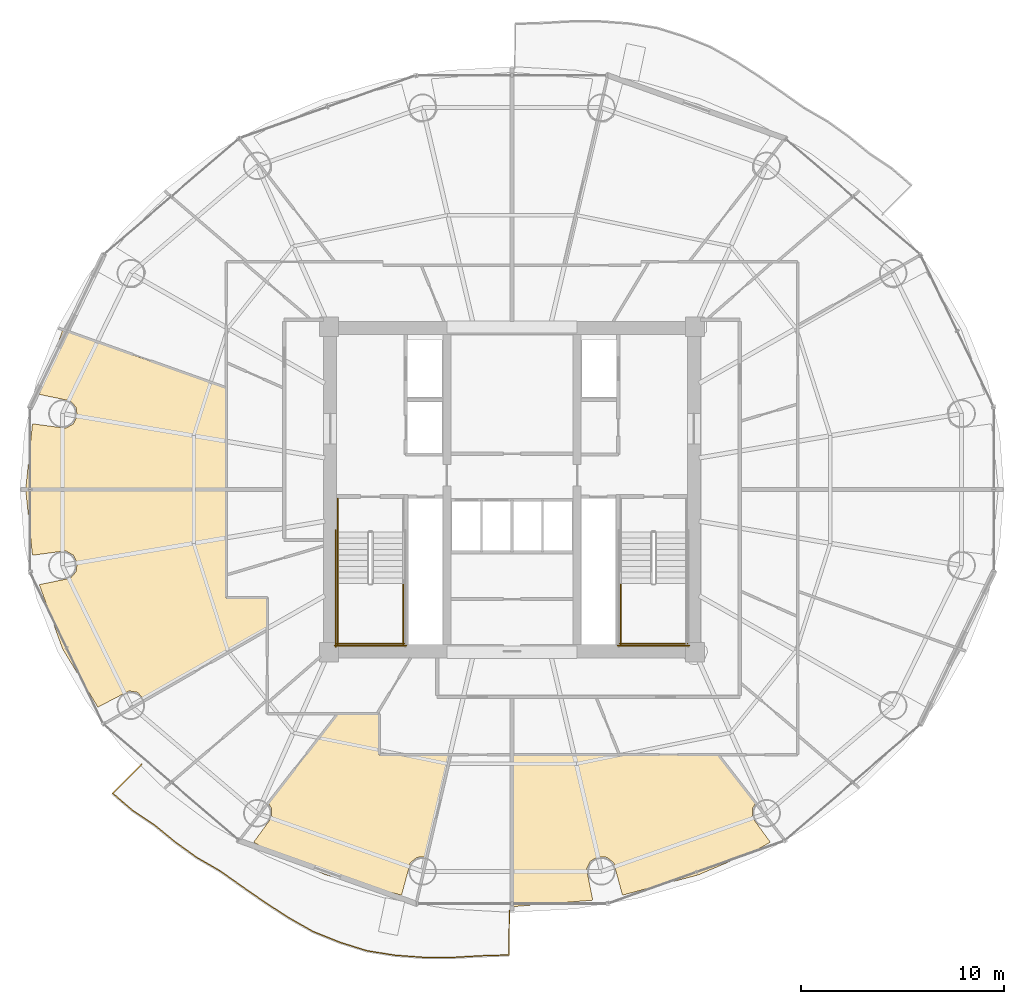
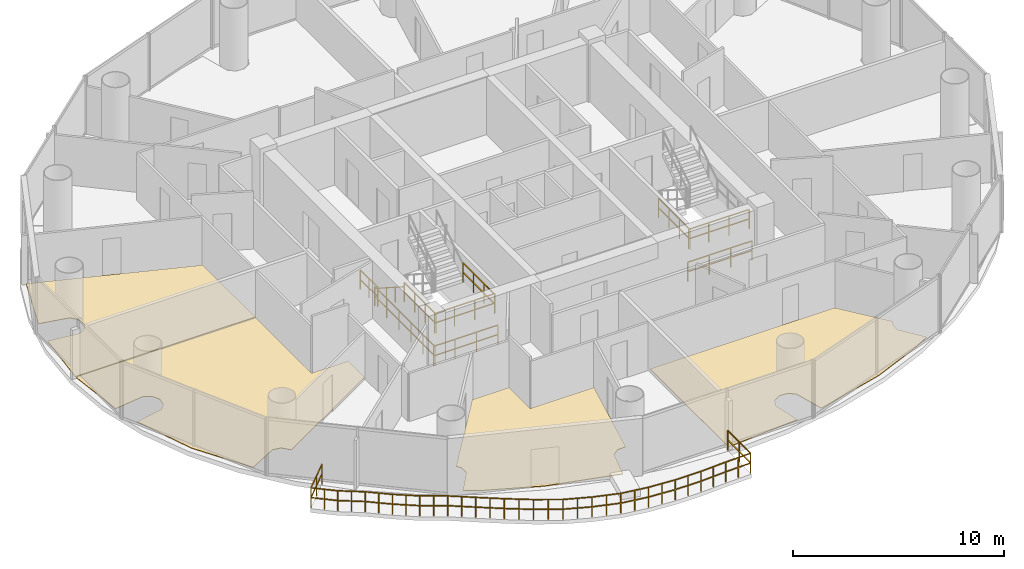
# One storey, part 25 of 27: 11 railings, 4 coverings.
"""IFC4 building model written with IfcOpenShell, lengths in metres."""

from ifc_helpers import new_model, si_unit, direction, frame, origin, origin_2d, place, context, subcontext, project, spatial, polyline, rectangle, outline, extrude, material, layer, layer_set, type_object, element, save


model = new_model("IFC4")

# Units and contexts
model_context = context("Model", 3, precision=1e-05, world=origin(), true_north=direction((-0.2419218956, 0.970295726276)))
body_context = subcontext(model_context, "Body", "Model", "MODEL_VIEW")
ifc_project = project(units=[si_unit("LENGTHUNIT", "METRE"), si_unit("AREAUNIT", "SQUARE_METRE"), si_unit("VOLUMEUNIT", "CUBIC_METRE"), si_unit("PLANEANGLEUNIT", "RADIAN"), si_unit("MASSUNIT", "GRAM", prefix="KILO")], contexts=[model_context])

# Site, building, storey
site_placement = place(None, origin())
site = spatial("IfcSite", under=ifc_project, at=site_placement, CompositionType="ELEMENT")
building_placement = place(site_placement, origin())
building = spatial("IfcBuilding", under=site, at=building_placement, Name="Cobrevalo Terracotta Tower", CompositionType="ELEMENT")
storey_placement = place(building_placement, frame((0.0, 0.0, 164.199951171875)))
storey = spatial("IfcBuildingStorey", under=building, at=storey_placement, Name="L43", CompositionType="ELEMENT", Elevation=164.199951171875)

# Railing
ifc_material_1 = material(Name="Laminated structural glass and stainless steel", Category="steel")
railing_type_1 = type_object("IfcRailingType", Name="Balcony lobe structural glass & terracotta-cap balustrade 1180 mm", PredefinedType="BALUSTRADE", material=ifc_material_1)
railing_1_placement = place(storey_placement, frame((19.788818359375, 13.294189453125, 0.0)))
element("IfcRailing", 1, at=railing_1_placement, inside=storey, type_object=railing_type_1, Name="L43 spiralling balcony lobe balustrade 2", PredefinedType="BALUSTRADE", context=body_context, shape_type="SweptSolid", body=[
    extrude(rectangle(XDim=0.048095703125, YDim=0.048095703125, at=origin_2d()), frame((0.0, 0.0, 1.15576171875), z_axis=(-0.70596157363, -0.708250136998, 0.0), x_axis=(0.708250136998, -0.70596157363, 0.0)), (0.0, 0.0, 1.0), 2.02685546875),
    extrude(rectangle(XDim=0.048095703125, YDim=0.048095703125, at=origin_2d()), frame((0.0, 0.0, 0.58984375), z_axis=(-0.70596157363, -0.708250136998, 0.0), x_axis=(0.708250136998, -0.70596157363, 0.0)), (0.0, 0.0, 1.0), 2.02685546875),
    extrude(rectangle(XDim=0.048095703125, YDim=0.048095703125, at=origin_2d()), frame((-1.430908203125, -1.435546875, 1.15576171875), z_axis=(0.757895830828, -0.652375589376, 0.0), x_axis=(0.652375589376, 0.757895830828, 0.0)), (0.0, 0.0, 1.0), 1.29345703125),
    extrude(rectangle(XDim=0.048095703125, YDim=0.048095703125, at=origin_2d()), frame((-1.430908203125, -1.435546875, 0.58984375), z_axis=(0.757895830828, -0.652375589376, 0.0), x_axis=(0.652375589376, 0.757895830828, 0.0)), (0.0, 0.0, 1.0), 1.29345703125),
    extrude(rectangle(XDim=0.048095703125, YDim=0.048095703125, at=origin_2d()), frame((-0.45068359375, -2.279296875, 1.15576171875), z_axis=(0.83202152843, -0.554743342663, 0.0), x_axis=(0.554743342663, 0.83202152843, 0.0)), (0.0, 0.0, 1.0), 1.3056640625),
    extrude(rectangle(XDim=0.048095703125, YDim=0.048095703125, at=origin_2d()), frame((-0.45068359375, -2.279296875, 0.58984375), z_axis=(0.83202152843, -0.554743342663, 0.0), x_axis=(0.554743342663, 0.83202152843, 0.0)), (0.0, 0.0, 1.0), 1.3056640625),
    extrude(rectangle(XDim=0.048095703125, YDim=0.048095703125, at=origin_2d()), frame((0.6357421875, -3.003662109375, 1.15576171875), z_axis=(0.773682191718, -0.633573883788, 0.0), x_axis=(0.633573883788, 0.773682191718, 0.0)), (0.0, 0.0, 1.0), 1.30517578125),
    extrude(rectangle(XDim=0.048095703125, YDim=0.048095703125, at=origin_2d()), frame((0.6357421875, -3.003662109375, 0.58984375), z_axis=(0.773682191718, -0.633573883788, 0.0), x_axis=(0.633573883788, 0.773682191718, 0.0)), (0.0, 0.0, 1.0), 1.30517578125),
    extrude(rectangle(XDim=0.048095703125, YDim=0.048095703125, at=origin_2d()), frame((1.6455078125, -3.83056640625, 1.15576171875), z_axis=(0.812532479491, -0.582915919985, 0.0), x_axis=(0.582915919985, 0.812532479491, 0.0)), (0.0, 0.0, 1.0), 1.306640625),
    extrude(rectangle(XDim=0.048095703125, YDim=0.048095703125, at=origin_2d()), frame((1.6455078125, -3.83056640625, 0.58984375), z_axis=(0.812532479491, -0.582915919985, 0.0), x_axis=(0.582915919985, 0.812532479491, 0.0)), (0.0, 0.0, 1.0), 1.306640625),
    extrude(rectangle(XDim=0.048095703125, YDim=0.048095703125, at=origin_2d()), frame((2.707275390625, -4.59228515625, 1.15576171875), z_axis=(0.866366473663, -0.499408783776, 0.0), x_axis=(0.499408783776, 0.866366473663, 0.0)), (0.0, 0.0, 1.0), 1.3251953125),
    extrude(rectangle(XDim=0.048095703125, YDim=0.048095703125, at=origin_2d()), frame((2.707275390625, -4.59228515625, 0.58984375), z_axis=(0.866366473663, -0.499408783776, 0.0), x_axis=(0.499408783776, 0.866366473663, 0.0)), (0.0, 0.0, 1.0), 1.3251953125),
    extrude(rectangle(XDim=0.048095703125, YDim=0.048095703125, at=origin_2d()), frame((3.85546875, -5.254150390625, 1.15576171875), z_axis=(0.816232760159, -0.577723187385, 0.0), x_axis=(0.577723187385, 0.816232760159, 0.0)), (0.0, 0.0, 1.0), 1.335693359375),
    extrude(rectangle(XDim=0.048095703125, YDim=0.048095703125, at=origin_2d()), frame((3.85546875, -5.254150390625, 0.58984375), z_axis=(0.816232760159, -0.577723187385, 0.0), x_axis=(0.577723187385, 0.816232760159, 0.0)), (0.0, 0.0, 1.0), 1.335693359375),
    extrude(rectangle(XDim=0.048095703125, YDim=0.048095703125, at=origin_2d()), frame((4.94580078125, -6.02587890625, 1.15576171875), z_axis=(0.822082565391, -0.569368295289, 0.0), x_axis=(0.569368295289, 0.822082565391, 0.0)), (0.0, 0.0, 1.0), 1.363037109375),
    extrude(rectangle(XDim=0.048095703125, YDim=0.048095703125, at=origin_2d()), frame((4.94580078125, -6.02587890625, 0.58984375), z_axis=(0.822082565391, -0.569368295289, 0.0), x_axis=(0.569368295289, 0.822082565391, 0.0)), (0.0, 0.0, 1.0), 1.363037109375),
    extrude(rectangle(XDim=0.048095703125, YDim=0.048095703125, at=origin_2d()), frame((6.06640625, -6.802001953125, 1.15576171875), z_axis=(0.839220023111, -0.543792012455, 0.0), x_axis=(0.543792012455, 0.839220023111, 0.0)), (0.0, 0.0, 1.0), 1.385009765625),
    extrude(rectangle(XDim=0.048095703125, YDim=0.048095703125, at=origin_2d()), frame((6.06640625, -6.802001953125, 0.58984375), z_axis=(0.839220023111, -0.543792012455, 0.0), x_axis=(0.543792012455, 0.839220023111, 0.0)), (0.0, 0.0, 1.0), 1.385009765625),
    extrude(rectangle(XDim=0.048095703125, YDim=0.048095703125, at=origin_2d()), frame((7.228759765625, -7.55517578125, 1.15576171875), z_axis=(0.869694041048, -0.493591202278, 0.0), x_axis=(0.493591202278, 0.869694041048, 0.0)), (0.0, 0.0, 1.0), 1.394287109375),
    extrude(rectangle(XDim=0.048095703125, YDim=0.048095703125, at=origin_2d()), frame((7.228759765625, -7.55517578125, 0.58984375), z_axis=(0.869694041048, -0.493591202278, 0.0), x_axis=(0.493591202278, 0.869694041048, 0.0)), (0.0, 0.0, 1.0), 1.394287109375),
    extrude(rectangle(XDim=0.048095703125, YDim=0.048095703125, at=origin_2d()), frame((8.44140625, -8.243408203125, 1.15576171875), z_axis=(0.92836839883, -0.371661292111, 0.0), x_axis=(0.371661292111, 0.92836839883, 0.0)), (0.0, 0.0, 1.0), 1.39990234375),
    extrude(rectangle(XDim=0.048095703125, YDim=0.048095703125, at=origin_2d()), frame((8.44140625, -8.243408203125, 0.58984375), z_axis=(0.92836839883, -0.371661292111, 0.0), x_axis=(0.371661292111, 0.92836839883, 0.0)), (0.0, 0.0, 1.0), 1.39990234375),
    extrude(rectangle(XDim=0.048095703125, YDim=0.048095703125, at=origin_2d()), frame((9.740966796875, -8.763671875, 1.15576171875), z_axis=(0.954296746624, -0.298860702305, 0.0), x_axis=(0.298860702305, 0.954296746624, 0.0)), (0.0, 0.0, 1.0), 1.400146484375),
    extrude(rectangle(XDim=0.048095703125, YDim=0.048095703125, at=origin_2d()), frame((9.740966796875, -8.763671875, 0.58984375), z_axis=(0.954296746624, -0.298860702305, 0.0), x_axis=(0.298860702305, 0.954296746624, 0.0)), (0.0, 0.0, 1.0), 1.400146484375),
    extrude(rectangle(XDim=0.048095703125, YDim=0.048095703125, at=origin_2d()), frame((11.0771484375, -9.18212890625, 1.15576171875), z_axis=(0.98754111881, -0.157361172656, 0.0), x_axis=(0.157361172656, 0.98754111881, 0.0)), (0.0, 0.0, 1.0), 1.4072265625),
    extrude(rectangle(XDim=0.048095703125, YDim=0.048095703125, at=origin_2d()), frame((11.0771484375, -9.18212890625, 0.58984375), z_axis=(0.98754111881, -0.157361172656, 0.0), x_axis=(0.157361172656, 0.98754111881, 0.0)), (0.0, 0.0, 1.0), 1.4072265625),
    extrude(rectangle(XDim=0.048095703125, YDim=0.048095703125, at=origin_2d()), frame((12.466796875, -9.403564453125, 1.15576171875), z_axis=(0.997351217919, -0.072736154111, 0.0), x_axis=(0.072736154111, 0.997351217919, 0.0)), (0.0, 0.0, 1.0), 1.40966796875),
    extrude(rectangle(XDim=0.048095703125, YDim=0.048095703125, at=origin_2d()), frame((12.466796875, -9.403564453125, 0.58984375), z_axis=(0.997351217919, -0.072736154111, 0.0), x_axis=(0.072736154111, 0.997351217919, 0.0)), (0.0, 0.0, 1.0), 1.40966796875),
    extrude(rectangle(XDim=0.048095703125, YDim=0.048095703125, at=origin_2d()), frame((13.872802734375, -9.506103515625, 1.15576171875), z_axis=(0.99999660564, -0.002605514866, 0.0), x_axis=(0.002605514866, 0.99999660564, 0.0)), (0.0, 0.0, 1.0), 1.405517578125),
    extrude(rectangle(XDim=0.048095703125, YDim=0.048095703125, at=origin_2d()), frame((13.872802734375, -9.506103515625, 0.58984375), z_axis=(0.99999660564, -0.002605514866, 0.0), x_axis=(0.002605514866, 0.99999660564, 0.0)), (0.0, 0.0, 1.0), 1.405517578125),
    extrude(rectangle(XDim=0.048095703125, YDim=0.048095703125, at=origin_2d()), frame((15.2783203125, -9.509765625, 1.15576171875), z_axis=(0.998334942691, 0.057683118861, 0.0), x_axis=(-0.057683118861, 0.998334942691, 0.0)), (0.0, 0.0, 1.0), 1.4052734375),
    extrude(rectangle(XDim=0.048095703125, YDim=0.048095703125, at=origin_2d()), frame((15.2783203125, -9.509765625, 0.58984375), z_axis=(0.998334942691, 0.057683118861, 0.0), x_axis=(-0.057683118861, 0.998334942691, 0.0)), (0.0, 0.0, 1.0), 1.4052734375),
    extrude(rectangle(XDim=0.048095703125, YDim=0.048095703125, at=origin_2d()), frame((16.68115234375, -9.4287109375, 1.15576171875), z_axis=(0.999553354362, 0.029884641267, 0.0), x_axis=(-0.029884641267, 0.999553354362, 0.0)), (0.0, 0.0, 1.0), 1.388916015625),
    extrude(rectangle(XDim=0.048095703125, YDim=0.048095703125, at=origin_2d()), frame((16.68115234375, -9.4287109375, 0.58984375), z_axis=(0.999553354362, 0.029884641267, 0.0), x_axis=(-0.029884641267, 0.999553354362, 0.0)), (0.0, 0.0, 1.0), 1.388916015625),
    extrude(rectangle(XDim=0.048095703125, YDim=0.048095703125, at=origin_2d()), frame((18.0693359375, -9.38720703125, 1.15576171875), z_axis=(0.004681179204, 0.999989043221, 0.0), x_axis=(-0.999989043221, 0.004681179204, 0.0)), (0.0, 0.0, 1.0), 2.1904296875),
    extrude(rectangle(XDim=0.048095703125, YDim=0.048095703125, at=origin_2d()), frame((18.0693359375, -9.38720703125, 0.58984375), z_axis=(0.004681179204, 0.999989043221, 0.0), x_axis=(-0.999989043221, 0.004681179204, 0.0)), (0.0, 0.0, 1.0), 2.1904296875),
    extrude(rectangle(XDim=0.0419921875, YDim=0.0419921875, at=origin_2d()), origin(), (0.0, 0.0, 1.0), 1.1318359375),
    extrude(rectangle(XDim=0.0419921875, YDim=0.0419921875, at=origin_2d()), frame((-0.71533203125, -0.7177734375, 0.0)), (0.0, 0.0, 1.0), 1.1318359375),
    extrude(rectangle(XDim=0.0419921875, YDim=0.0419921875, at=origin_2d()), frame((-1.430908203125, -1.435546875, 0.0)), (0.0, 0.0, 1.0), 1.1318359375),
    extrude(rectangle(XDim=0.0419921875, YDim=0.0419921875, at=origin_2d()), frame((-0.94091796875, -1.857421875, 0.0)), (0.0, 0.0, 1.0), 1.1318359375),
    extrude(rectangle(XDim=0.0419921875, YDim=0.0419921875, at=origin_2d()), frame((-0.45068359375, -2.279296875, 0.0)), (0.0, 0.0, 1.0), 1.1318359375),
    extrude(rectangle(XDim=0.0419921875, YDim=0.0419921875, at=origin_2d()), frame((0.092529296875, -2.6416015625, 0.0)), (0.0, 0.0, 1.0), 1.1318359375),
    extrude(rectangle(XDim=0.0419921875, YDim=0.0419921875, at=origin_2d()), frame((0.6357421875, -3.003662109375, 0.0)), (0.0, 0.0, 1.0), 1.1318359375),
    extrude(rectangle(XDim=0.0419921875, YDim=0.0419921875, at=origin_2d()), frame((1.140625, -3.4169921875, 0.0)), (0.0, 0.0, 1.0), 1.1318359375),
    extrude(rectangle(XDim=0.0419921875, YDim=0.0419921875, at=origin_2d()), frame((1.6455078125, -3.83056640625, 0.0)), (0.0, 0.0, 1.0), 1.1318359375),
    extrude(rectangle(XDim=0.0419921875, YDim=0.0419921875, at=origin_2d()), frame((2.17626953125, -4.21142578125, 0.0)), (0.0, 0.0, 1.0), 1.1318359375),
    extrude(rectangle(XDim=0.0419921875, YDim=0.0419921875, at=origin_2d()), frame((2.707275390625, -4.59228515625, 0.0)), (0.0, 0.0, 1.0), 1.1318359375),
    extrude(rectangle(XDim=0.0419921875, YDim=0.0419921875, at=origin_2d()), frame((3.28125, -4.92333984375, 0.0)), (0.0, 0.0, 1.0), 1.1318359375),
    extrude(rectangle(XDim=0.0419921875, YDim=0.0419921875, at=origin_2d()), frame((3.85546875, -5.254150390625, 0.0)), (0.0, 0.0, 1.0), 1.1318359375),
    extrude(rectangle(XDim=0.0419921875, YDim=0.0419921875, at=origin_2d()), frame((4.400634765625, -5.64013671875, 0.0)), (0.0, 0.0, 1.0), 1.1318359375),
    extrude(rectangle(XDim=0.0419921875, YDim=0.0419921875, at=origin_2d()), frame((4.94580078125, -6.02587890625, 0.0)), (0.0, 0.0, 1.0), 1.1318359375),
    extrude(rectangle(XDim=0.0419921875, YDim=0.0419921875, at=origin_2d()), frame((5.506103515625, -6.4140625, 0.0)), (0.0, 0.0, 1.0), 1.1318359375),
    extrude(rectangle(XDim=0.0419921875, YDim=0.0419921875, at=origin_2d()), frame((6.06640625, -6.802001953125, 0.0)), (0.0, 0.0, 1.0), 1.1318359375),
    extrude(rectangle(XDim=0.0419921875, YDim=0.0419921875, at=origin_2d()), frame((6.6474609375, -7.1787109375, 0.0)), (0.0, 0.0, 1.0), 1.1318359375),
    extrude(rectangle(XDim=0.0419921875, YDim=0.0419921875, at=origin_2d()), frame((7.228759765625, -7.55517578125, 0.0)), (0.0, 0.0, 1.0), 1.1318359375),
    extrude(rectangle(XDim=0.0419921875, YDim=0.0419921875, at=origin_2d()), frame((7.8349609375, -7.8994140625, 0.0)), (0.0, 0.0, 1.0), 1.1318359375),
    extrude(rectangle(XDim=0.0419921875, YDim=0.0419921875, at=origin_2d()), frame((8.44140625, -8.243408203125, 0.0)), (0.0, 0.0, 1.0), 1.1318359375),
    extrude(rectangle(XDim=0.0419921875, YDim=0.0419921875, at=origin_2d()), frame((9.09130859375, -8.50341796875, 0.0)), (0.0, 0.0, 1.0), 1.1318359375),
    extrude(rectangle(XDim=0.0419921875, YDim=0.0419921875, at=origin_2d()), frame((9.740966796875, -8.763671875, 0.0)), (0.0, 0.0, 1.0), 1.1318359375),
    extrude(rectangle(XDim=0.0419921875, YDim=0.0419921875, at=origin_2d()), frame((10.4091796875, -8.972900390625, 0.0)), (0.0, 0.0, 1.0), 1.1318359375),
    extrude(rectangle(XDim=0.0419921875, YDim=0.0419921875, at=origin_2d()), frame((11.0771484375, -9.18212890625, 0.0)), (0.0, 0.0, 1.0), 1.1318359375),
    extrude(rectangle(XDim=0.0419921875, YDim=0.0419921875, at=origin_2d()), frame((11.77197265625, -9.29296875, 0.0)), (0.0, 0.0, 1.0), 1.1318359375),
    extrude(rectangle(XDim=0.0419921875, YDim=0.0419921875, at=origin_2d()), frame((12.466796875, -9.403564453125, 0.0)), (0.0, 0.0, 1.0), 1.1318359375),
    extrude(rectangle(XDim=0.0419921875, YDim=0.0419921875, at=origin_2d()), frame((13.169921875, -9.454833984375, 0.0)), (0.0, 0.0, 1.0), 1.1318359375),
    extrude(rectangle(XDim=0.0419921875, YDim=0.0419921875, at=origin_2d()), frame((13.872802734375, -9.506103515625, 0.0)), (0.0, 0.0, 1.0), 1.1318359375),
    extrude(rectangle(XDim=0.0419921875, YDim=0.0419921875, at=origin_2d()), frame((14.57568359375, -9.5078125, 0.0)), (0.0, 0.0, 1.0), 1.1318359375),
    extrude(rectangle(XDim=0.0419921875, YDim=0.0419921875, at=origin_2d()), frame((15.2783203125, -9.509765625, 0.0)), (0.0, 0.0, 1.0), 1.1318359375),
    extrude(rectangle(XDim=0.0419921875, YDim=0.0419921875, at=origin_2d()), frame((15.979736328125, -9.46923828125, 0.0)), (0.0, 0.0, 1.0), 1.1318359375),
    extrude(rectangle(XDim=0.0419921875, YDim=0.0419921875, at=origin_2d()), frame((16.68115234375, -9.4287109375, 0.0)), (0.0, 0.0, 1.0), 1.1318359375),
    extrude(rectangle(XDim=0.0419921875, YDim=0.0419921875, at=origin_2d()), frame((17.375244140625, -9.407958984375, 0.0)), (0.0, 0.0, 1.0), 1.1318359375),
    extrude(rectangle(XDim=0.0419921875, YDim=0.0419921875, at=origin_2d()), frame((18.0693359375, -9.38720703125, 0.0)), (0.0, 0.0, 1.0), 1.1318359375),
    extrude(rectangle(XDim=0.0419921875, YDim=0.0419921875, at=origin_2d()), frame((18.074462890625, -8.2919921875, 0.0)), (0.0, 0.0, 1.0), 1.1318359375),
    extrude(rectangle(XDim=0.0419921875, YDim=0.0419921875, at=origin_2d()), frame((18.07958984375, -7.19677734375, 0.0)), (0.0, 0.0, 1.0), 1.1318359375),
])

# Coverings
ifc_material_2 = material(Name="Engineered Brazilian hardwood flooring", Category="wood")
ifc_layer = layer(ifc_material_2, 0.028076171875)
ifc_layer_set = layer_set([ifc_layer], Name="Engineered Brazilian hardwood flooring")
covering_type = type_object("IfcCoveringType", Name="Engineered Hardwood Suite Flooring 28", PredefinedType="FLOORING", material=ifc_layer_set)
covering_1_placement = place(storey_placement, origin())
element("IfcCovering", 2, at=covering_1_placement, inside=storey, type_object=covering_type, Name="Flat L43B Penthouse Family Lounge floor finish", PredefinedType="FLOORING", context=body_context, shape_type="SweptSolid", body=[
    extrude(outline(polyline([(23.93505859375, 31.7861328125), (23.93505859375, 26.820068359375), (14.08154296875, 26.820068359375), (14.41357421875, 30.03369140625), (16.048583984375, 29.814697265625), (16.421630859375, 30.028076171875), (16.613037109375, 30.41259765625), (16.55859375, 30.8388671875), (16.2763671875, 31.1630859375), (14.748291015625, 31.478271484375), (15.898681640625, 34.647216796875), (23.93505859375, 31.7861328125)])), origin(), (0.0, 0.0, 1.0), 0.030029296875),
])
covering_2_placement = place(storey_placement, origin())
element("IfcCovering", 3, at=covering_2_placement, inside=storey, type_object=covering_type, Name="Flat L43C Penthouse Living and Dining Room floor finish", PredefinedType="FLOORING", context=body_context, shape_type="SweptSolid", body=[
    extrude(outline(polyline([(15.900390625, 18.948486328125), (14.748291015625, 22.121826171875), (16.2763671875, 22.43701171875), (16.55859375, 22.760986328125), (16.613037109375, 23.187255859375), (16.421630859375, 23.572021484375), (16.048583984375, 23.785400390625), (14.41357421875, 23.566162109375), (14.08154296875, 26.780029296875), (23.93505859375, 26.780029296875), (23.93505859375, 21.4599609375), (25.945068359375, 21.4599609375), (25.945068359375, 19.89990234375), (19.929931640625, 16.4453125), (19.582763671875, 16.822021484375), (19.1591796875, 16.895263671875), (17.632568359375, 16.09375), (15.900390625, 18.948486328125)])), origin(), (0.0, 0.0, 1.0), 0.030029296875),
])
covering_3_placement = place(storey_placement, origin())
element("IfcCovering", 4, at=covering_3_placement, inside=storey, type_object=covering_type, Name="Flat L43C Principal Guest Bedroom floor finish", PredefinedType="FLOORING", context=body_context, shape_type="SweptSolid", body=[
    extrude(outline(polyline([(26.038818359375, 9.02978515625), (25.295166015625, 9.4560546875), (26.184326171875, 10.67724609375), (26.175537109375, 11.106689453125), (26.02490234375, 11.363525390625), (29.43115234375, 15.7451171875), (31.4599609375, 15.7451171875), (31.4599609375, 13.735107421875), (34.955810546875, 13.735107421875), (33.796630859375, 8.72607421875), (33.3408203125, 8.7109375), (32.99951171875, 8.44970703125), (32.567138671875, 6.849853515625), (28.84521484375, 7.84228515625), (26.038818359375, 9.02978515625)])), origin(), (0.0, 0.0, 1.0), 0.030029296875),
])
covering_4_placement = place(storey_placement, origin())
element("IfcCovering", 5, at=covering_4_placement, inside=storey, type_object=covering_type, Name="Flat L43D Living and Dining Room floor finish", PredefinedType="FLOORING", context=body_context, shape_type="SweptSolid", body=[
    extrude(outline(polyline([(47.15478515625, 7.84228515625), (43.432861328125, 6.849853515625), (43.00048828125, 8.44970703125), (42.6591796875, 8.7109375), (42.23046875, 8.738525390625), (41.858642578125, 8.5234375), (41.6689453125, 8.1376953125), (41.97119140625, 6.6005859375), (38.02001953125, 6.28125), (38.02001953125, 13.735107421875), (48.13134765625, 13.735107421875), (49.97509765625, 11.363525390625), (49.824462890625, 11.106689453125), (49.815673828125, 10.67724609375), (50.704833984375, 9.4560546875), (49.961181640625, 9.02978515625), (47.15478515625, 7.84228515625)])), origin(), (0.0, 0.0, 1.0), 0.030029296875),
])

# Railings
ifc_material_3 = material(Name="Brushed stainless steel", Category="steel")
railing_type_2 = type_object("IfcRailingType", Name="Stainless Steel Stair Handrail 900", PredefinedType="HANDRAIL", material=ifc_material_3)
railing_2_placement = place(storey_placement, frame((29.425048828125, 24.699951171875, 0.179931640625)))
element("IfcRailing", 6, at=railing_2_placement, inside=storey, type_object=railing_type_2, Name="L43 ST-1 stair handrail 1", PredefinedType="HANDRAIL", context=body_context, shape_type="SweptSolid", body=[
    extrude(rectangle(XDim=0.048095703125, YDim=0.048095703125, at=origin_2d()), frame((0.0, 0.0, 0.8759765625), z_axis=(0.0, -0.841162588446, 0.540782303519), x_axis=(1.0, 0.0, 0.0)), (0.0, 0.0, 1.0), 2.995849609375),
    extrude(rectangle(XDim=0.0419921875, YDim=0.0419921875, at=origin_2d()), origin(), (0.0, 0.0, 1.0), 0.851806640625),
    extrude(rectangle(XDim=0.0419921875, YDim=0.0419921875, at=origin_2d()), frame((0.0, -0.840087890625, 0.5400390625)), (0.0, 0.0, 1.0), 0.851806640625),
    extrude(rectangle(XDim=0.0419921875, YDim=0.0419921875, at=origin_2d()), frame((0.0, -1.679931640625, 1.080078125)), (0.0, 0.0, 1.0), 0.851806640625),
    extrude(rectangle(XDim=0.0419921875, YDim=0.0419921875, at=origin_2d()), frame((0.0, -2.52001953125, 1.6201171875)), (0.0, 0.0, 1.0), 0.851806640625),
])
ifc_material_4 = material(Name="Painted galvanized steel", Category="steel")
railing_type_3 = type_object("IfcRailingType", Name="Stair Well Guard Balustrade 1150", PredefinedType="GUARDRAIL", material=ifc_material_4)
for number, where, name in (
    (7, (29.425048828125, 22.179931640625, 1.800048828125), "L43 ST-1 stair guard 3"),
    (8, (32.64501953125, 22.179931640625, 1.800048828125), "L43 ST-1 stair guard 4"),
):
    element("IfcRailing", number, at=place(storey_placement, frame(where)), inside=storey, type_object=railing_type_3, Name=name, PredefinedType="GUARDRAIL", context=body_context, shape_type="SweptSolid", body=[
        extrude(rectangle(XDim=0.048095703125, YDim=0.048095703125, at=origin_2d()), frame((0.0, 0.0, 1.1259765625), z_axis=(0.0, -1.0, 0.0), x_axis=(1.0, 0.0, 0.0)), (0.0, 0.0, 1.0), 3.0048828125),
        extrude(rectangle(XDim=0.048095703125, YDim=0.048095703125, at=origin_2d()), frame((0.0, 0.0, 0.574951171875), z_axis=(0.0, -1.0, 0.0), x_axis=(1.0, 0.0, 0.0)), (0.0, 0.0, 1.0), 3.0048828125),
        extrude(rectangle(XDim=0.0419921875, YDim=0.0419921875, at=origin_2d()), origin(), (0.0, 0.0, 1.0), 1.101806640625),
        extrude(rectangle(XDim=0.0419921875, YDim=0.0419921875, at=origin_2d()), frame((0.0, -1.001708984375, 0.0)), (0.0, 0.0, 1.0), 1.101806640625),
        extrude(rectangle(XDim=0.0419921875, YDim=0.0419921875, at=origin_2d()), frame((0.0, -2.003173828125, 0.0)), (0.0, 0.0, 1.0), 1.101806640625),
        extrude(rectangle(XDim=0.0419921875, YDim=0.0419921875, at=origin_2d()), frame((0.0, -3.0048828125, 0.0)), (0.0, 0.0, 1.0), 1.101806640625),
    ])
railing_3_placement = place(storey_placement, frame((29.375, 19.22509765625, 1.800048828125)))
element("IfcRailing", 9, at=railing_3_placement, inside=storey, type_object=railing_type_3, Name="L43 ST-1 stair guard 5", PredefinedType="GUARDRAIL", context=body_context, shape_type="SweptSolid", body=[
    extrude(rectangle(XDim=0.048095703125, YDim=0.048095703125, at=origin_2d()), frame((0.0, 0.0, 1.1259765625), z_axis=(1.0, 0.0, 0.0), x_axis=(0.0, 1.0, 0.0)), (0.0, 0.0, 1.0), 3.320068359375),
    extrude(rectangle(XDim=0.048095703125, YDim=0.048095703125, at=origin_2d()), frame((0.0, 0.0, 0.574951171875), z_axis=(1.0, 0.0, 0.0), x_axis=(0.0, 1.0, 0.0)), (0.0, 0.0, 1.0), 3.320068359375),
    extrude(rectangle(XDim=0.0419921875, YDim=0.0419921875, at=origin_2d()), origin(), (0.0, 0.0, 1.0), 1.101806640625),
    extrude(rectangle(XDim=0.0419921875, YDim=0.0419921875, at=origin_2d()), frame((1.106689453125, 0.0, 0.0)), (0.0, 0.0, 1.0), 1.101806640625),
    extrude(rectangle(XDim=0.0419921875, YDim=0.0419921875, at=origin_2d()), frame((2.21337890625, 0.0, 0.0)), (0.0, 0.0, 1.0), 1.101806640625),
    extrude(rectangle(XDim=0.0419921875, YDim=0.0419921875, at=origin_2d()), frame((3.320068359375, 0.0, 0.0)), (0.0, 0.0, 1.0), 1.101806640625),
])
railing_4_placement = place(storey_placement, frame((29.425048828125, 26.35009765625, 0.0)))
element("IfcRailing", 10, at=railing_4_placement, inside=storey, type_object=railing_type_3, Name="L43 ST-1 stair guard 8", PredefinedType="GUARDRAIL", context=body_context, shape_type="SweptSolid", body=[
    extrude(rectangle(XDim=0.048095703125, YDim=0.048095703125, at=origin_2d()), frame((0.0, 0.0, 1.1259765625), z_axis=(0.0, -1.0, 0.0), x_axis=(1.0, 0.0, 0.0)), (0.0, 0.0, 1.0), 1.650146484375),
    extrude(rectangle(XDim=0.048095703125, YDim=0.048095703125, at=origin_2d()), frame((0.0, 0.0, 0.574951171875), z_axis=(0.0, -1.0, 0.0), x_axis=(1.0, 0.0, 0.0)), (0.0, 0.0, 1.0), 1.650146484375),
    extrude(rectangle(XDim=0.0419921875, YDim=0.0419921875, at=origin_2d()), origin(), (0.0, 0.0, 1.0), 1.101806640625),
    extrude(rectangle(XDim=0.0419921875, YDim=0.0419921875, at=origin_2d()), frame((0.0, -0.8251953125, 0.0)), (0.0, 0.0, 1.0), 1.101806640625),
    extrude(rectangle(XDim=0.0419921875, YDim=0.0419921875, at=origin_2d()), frame((0.0, -1.650146484375, 0.0)), (0.0, 0.0, 1.0), 1.101806640625),
])
railing_5_placement = place(storey_placement, frame((29.324951171875, 24.800048828125, 0.0)))
element("IfcRailing", 11, at=railing_5_placement, inside=storey, type_object=railing_type_3, Name="L43 ST-1 stair guard 10", PredefinedType="GUARDRAIL", context=body_context, shape_type="SweptSolid", body=[
    extrude(rectangle(XDim=0.048095703125, YDim=0.048095703125, at=origin_2d()), frame((0.0, 0.0, 1.1259765625), z_axis=(0.0, -1.0, 0.0), x_axis=(1.0, 0.0, 0.0)), (0.0, 0.0, 1.0), 5.72509765625),
    extrude(rectangle(XDim=0.048095703125, YDim=0.048095703125, at=origin_2d()), frame((0.0, 0.0, 0.574951171875), z_axis=(0.0, -1.0, 0.0), x_axis=(1.0, 0.0, 0.0)), (0.0, 0.0, 1.0), 5.72509765625),
    extrude(rectangle(XDim=0.0419921875, YDim=0.0419921875, at=origin_2d()), origin(), (0.0, 0.0, 1.0), 1.101806640625),
    extrude(rectangle(XDim=0.0419921875, YDim=0.0419921875, at=origin_2d()), frame((0.0, -1.14501953125, 0.0)), (0.0, 0.0, 1.0), 1.101806640625),
    extrude(rectangle(XDim=0.0419921875, YDim=0.0419921875, at=origin_2d()), frame((0.0, -2.2900390625, 0.0)), (0.0, 0.0, 1.0), 1.101806640625),
    extrude(rectangle(XDim=0.0419921875, YDim=0.0419921875, at=origin_2d()), frame((0.0, -3.43505859375, 0.0)), (0.0, 0.0, 1.0), 1.101806640625),
    extrude(rectangle(XDim=0.0419921875, YDim=0.0419921875, at=origin_2d()), frame((0.0, -4.580078125, 0.0)), (0.0, 0.0, 1.0), 1.101806640625),
    extrude(rectangle(XDim=0.0419921875, YDim=0.0419921875, at=origin_2d()), frame((0.0, -5.72509765625, 0.0)), (0.0, 0.0, 1.0), 1.101806640625),
])
railing_6_placement = place(storey_placement, frame((29.27490234375, 19.125, 0.0)))
element("IfcRailing", 12, at=railing_6_placement, inside=storey, type_object=railing_type_3, Name="L43 ST-1 stair guard 12", PredefinedType="GUARDRAIL", context=body_context, shape_type="SweptSolid", body=[
    extrude(rectangle(XDim=0.048095703125, YDim=0.048095703125, at=origin_2d()), frame((0.0, 0.0, 1.1259765625), z_axis=(1.0, 0.0, 0.0), x_axis=(0.0, 1.0, 0.0)), (0.0, 0.0, 1.0), 3.52001953125),
    extrude(rectangle(XDim=0.048095703125, YDim=0.048095703125, at=origin_2d()), frame((0.0, 0.0, 0.574951171875), z_axis=(1.0, 0.0, 0.0), x_axis=(0.0, 1.0, 0.0)), (0.0, 0.0, 1.0), 3.52001953125),
    extrude(rectangle(XDim=0.0419921875, YDim=0.0419921875, at=origin_2d()), origin(), (0.0, 0.0, 1.0), 1.101806640625),
    extrude(rectangle(XDim=0.0419921875, YDim=0.0419921875, at=origin_2d()), frame((1.17333984375, 0.0, 0.0)), (0.0, 0.0, 1.0), 1.101806640625),
    extrude(rectangle(XDim=0.0419921875, YDim=0.0419921875, at=origin_2d()), frame((2.3466796875, 0.0, 0.0)), (0.0, 0.0, 1.0), 1.101806640625),
    extrude(rectangle(XDim=0.0419921875, YDim=0.0419921875, at=origin_2d()), frame((3.52001953125, 0.0, 0.0)), (0.0, 0.0, 1.0), 1.101806640625),
])
railing_7_placement = place(storey_placement, frame((43.35498046875, 22.179931640625, 1.800048828125)))
element("IfcRailing", 13, at=railing_7_placement, inside=storey, type_object=railing_type_3, Name="L43 ST-2 stair guard 3", PredefinedType="GUARDRAIL", context=body_context, shape_type="SweptSolid", body=[
    extrude(rectangle(XDim=0.048095703125, YDim=0.048095703125, at=origin_2d()), frame((0.0, 0.0, 1.1259765625), z_axis=(0.0, -1.0, 0.0), x_axis=(1.0, 0.0, 0.0)), (0.0, 0.0, 1.0), 3.0048828125),
    extrude(rectangle(XDim=0.048095703125, YDim=0.048095703125, at=origin_2d()), frame((0.0, 0.0, 0.574951171875), z_axis=(0.0, -1.0, 0.0), x_axis=(1.0, 0.0, 0.0)), (0.0, 0.0, 1.0), 3.0048828125),
    extrude(rectangle(XDim=0.0419921875, YDim=0.0419921875, at=origin_2d()), origin(), (0.0, 0.0, 1.0), 1.101806640625),
    extrude(rectangle(XDim=0.0419921875, YDim=0.0419921875, at=origin_2d()), frame((0.0, -1.001708984375, 0.0)), (0.0, 0.0, 1.0), 1.101806640625),
    extrude(rectangle(XDim=0.0419921875, YDim=0.0419921875, at=origin_2d()), frame((0.0, -2.003173828125, 0.0)), (0.0, 0.0, 1.0), 1.101806640625),
    extrude(rectangle(XDim=0.0419921875, YDim=0.0419921875, at=origin_2d()), frame((0.0, -3.0048828125, 0.0)), (0.0, 0.0, 1.0), 1.101806640625),
])
railing_8_placement = place(storey_placement, frame((43.304931640625, 19.22509765625, 1.800048828125)))
element("IfcRailing", 14, at=railing_8_placement, inside=storey, type_object=railing_type_3, Name="L43 ST-2 stair guard 5", PredefinedType="GUARDRAIL", context=body_context, shape_type="SweptSolid", body=[
    extrude(rectangle(XDim=0.048095703125, YDim=0.048095703125, at=origin_2d()), frame((0.0, 0.0, 1.1259765625), z_axis=(1.0, 0.0, 0.0), x_axis=(0.0, 1.0, 0.0)), (0.0, 0.0, 1.0), 3.320068359375),
    extrude(rectangle(XDim=0.048095703125, YDim=0.048095703125, at=origin_2d()), frame((0.0, 0.0, 0.574951171875), z_axis=(1.0, 0.0, 0.0), x_axis=(0.0, 1.0, 0.0)), (0.0, 0.0, 1.0), 3.320068359375),
    extrude(rectangle(XDim=0.0419921875, YDim=0.0419921875, at=origin_2d()), origin(), (0.0, 0.0, 1.0), 1.101806640625),
    extrude(rectangle(XDim=0.0419921875, YDim=0.0419921875, at=origin_2d()), frame((1.106689453125, 0.0, 0.0)), (0.0, 0.0, 1.0), 1.101806640625),
    extrude(rectangle(XDim=0.0419921875, YDim=0.0419921875, at=origin_2d()), frame((2.21337890625, 0.0, 0.0)), (0.0, 0.0, 1.0), 1.101806640625),
    extrude(rectangle(XDim=0.0419921875, YDim=0.0419921875, at=origin_2d()), frame((3.320068359375, 0.0, 0.0)), (0.0, 0.0, 1.0), 1.101806640625),
])
railing_9_placement = place(storey_placement, frame((43.205078125, 19.125, 0.0)))
element("IfcRailing", 15, at=railing_9_placement, inside=storey, type_object=railing_type_3, Name="L43 ST-2 stair guard 12", PredefinedType="GUARDRAIL", context=body_context, shape_type="SweptSolid", body=[
    extrude(rectangle(XDim=0.048095703125, YDim=0.048095703125, at=origin_2d()), frame((0.0, 0.0, 1.1259765625), z_axis=(1.0, 0.0, 0.0), x_axis=(0.0, 1.0, 0.0)), (0.0, 0.0, 1.0), 3.52001953125),
    extrude(rectangle(XDim=0.048095703125, YDim=0.048095703125, at=origin_2d()), frame((0.0, 0.0, 0.574951171875), z_axis=(1.0, 0.0, 0.0), x_axis=(0.0, 1.0, 0.0)), (0.0, 0.0, 1.0), 3.52001953125),
    extrude(rectangle(XDim=0.0419921875, YDim=0.0419921875, at=origin_2d()), origin(), (0.0, 0.0, 1.0), 1.101806640625),
    extrude(rectangle(XDim=0.0419921875, YDim=0.0419921875, at=origin_2d()), frame((1.17333984375, 0.0, 0.0)), (0.0, 0.0, 1.0), 1.101806640625),
    extrude(rectangle(XDim=0.0419921875, YDim=0.0419921875, at=origin_2d()), frame((2.3466796875, 0.0, 0.0)), (0.0, 0.0, 1.0), 1.101806640625),
    extrude(rectangle(XDim=0.0419921875, YDim=0.0419921875, at=origin_2d()), frame((3.52001953125, 0.0, 0.0)), (0.0, 0.0, 1.0), 1.101806640625),
])

save(model, "model.ifc")
